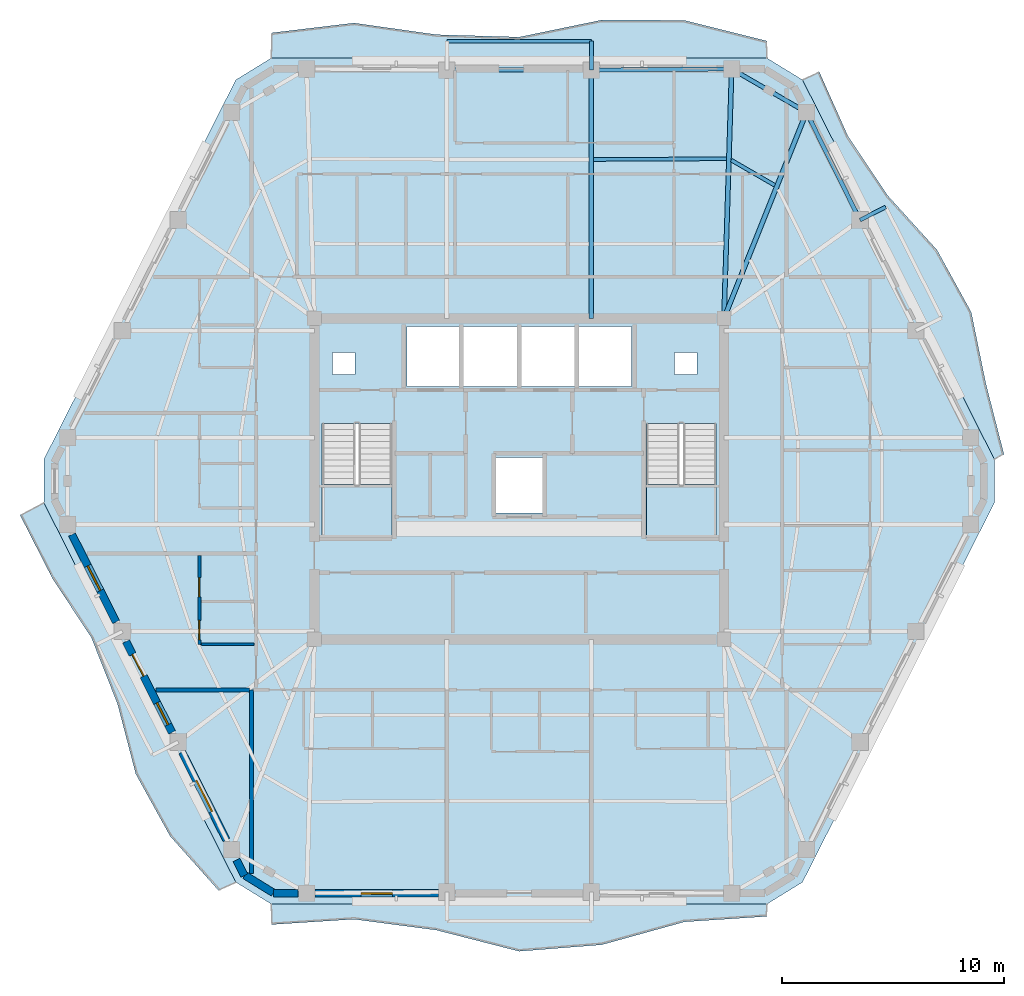
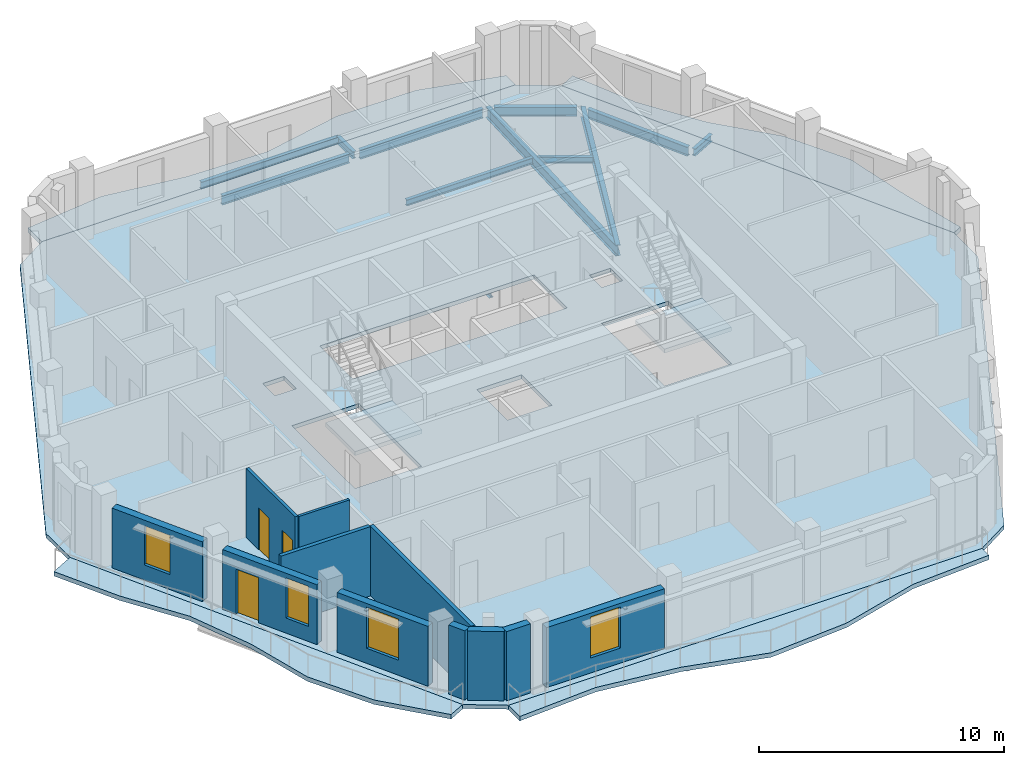
# One storey, part 3 of 11: 12 beams, 11 walls, 7 slabs, 4 windows, 3 doors, 7 openings, 2 elements without a shape of their own.
"""IFC4 building model written with IfcOpenShell, lengths in metres."""

from ifc_helpers import new_model, si_unit, direction, frame, frame_2d, origin, origin_2d, place, context, subcontext, project, spatial, polyline, rectangle, i_section, outline, extrude, material, layer, layer_set, material_profile, profile_set, type_object, element, fill, aggregate, save


model = new_model("IFC4")

# Units and contexts
model_context = context("Model", 3, precision=1e-05, world=origin(), true_north=direction((0.0, 1.0)))
body_context = subcontext(model_context, "Body", "Model", "MODEL_VIEW")
ifc_project = project(units=[si_unit("LENGTHUNIT", "METRE"), si_unit("AREAUNIT", "SQUARE_METRE"), si_unit("VOLUMEUNIT", "CUBIC_METRE"), si_unit("PLANEANGLEUNIT", "RADIAN"), si_unit("MASSUNIT", "GRAM", prefix="KILO")], contexts=[model_context])

# Site, building, storey
site_placement = place(None, origin())
site = spatial("IfcSite", under=ifc_project, at=site_placement, CompositionType="ELEMENT")
building_placement = place(site_placement, origin())
building = spatial("IfcBuilding", under=site, at=building_placement, Name="Cinnabar Lancet Tower", CompositionType="ELEMENT")
storey_placement = place(building_placement, frame((0.0, 0.0, 241.60009765625)))
storey = spatial("IfcBuildingStorey", under=building, at=storey_placement, Name="L64", CompositionType="ELEMENT", Elevation=241.60009765625)

# Beams
ifc_material_1 = material(Name="Structural steel S355", Category="steel")
ifc_material_profile_1 = material_profile(ifc_material_1, i_section(OverallWidth=0.1650390625, OverallDepth=0.303466796875, WebThickness=0.006103515625, FlangeThickness=0.01025390625, FilletRadius=0.0087890625, at=origin_2d()), Name="UKB 305x165x40")
ifc_profile_set_1 = profile_set([ifc_material_profile_1], Name="Structural steel S355")
beam_type_1 = type_object("IfcBeamType", Name="STR-BM-JST-305", PredefinedType="JOIST", material=ifc_profile_set_1)
beam_1_placement = place(storey_placement, frame((43.912109375, 39.1201171875, -0.35205078125), z_axis=(-0.865426285481, 0.501036270542, 0.0), x_axis=(-0.501036270542, -0.865426285481, 0.0)))
element("IfcBeam", 1, at=beam_1_placement, inside=storey, type_object=beam_type_1, Name="L64 Secondary Floor Joist 29", PredefinedType="JOIST", context=body_context, shape_type="SweptSolid", body=[
    extrude(i_section(OverallWidth=0.1650390625, OverallDepth=0.303466796875, WebThickness=0.006103515625, FlangeThickness=0.01025390625, FilletRadius=0.0087890625, at=origin_2d()), origin(), (0.0, 0.0, 1.0), 2.267333984375),
])
beam_2_placement = place(storey_placement, frame((41.741943359375, 40.31494140625, -0.35205078125), z_axis=(-0.999985712428, -0.005345553266, 0.0), x_axis=(0.005345553266, -0.999985712428, 0.0)))
element("IfcBeam", 2, at=beam_2_placement, inside=storey, type_object=beam_type_1, Name="L64 Secondary Floor Joist 30", PredefinedType="JOIST", context=body_context, shape_type="SweptSolid", body=[
    extrude(i_section(OverallWidth=0.1650390625, OverallDepth=0.303466796875, WebThickness=0.006103515625, FlangeThickness=0.01025390625, FilletRadius=0.0087890625, at=origin_2d()), origin(), (0.0, 0.0, 1.0), 5.98291015625),
])
ifc_material_2 = material(Name="Structural steel S355", Category="steel")
ifc_material_profile_2 = material_profile(ifc_material_2, i_section(OverallWidth=0.1904296875, OverallDepth=0.45703125, WebThickness=0.009033203125, FlangeThickness=0.014404296875, FilletRadius=0.01025390625, at=origin_2d()), Name="UKB 457x191x74")
ifc_profile_set_2 = profile_set([ifc_material_profile_2], Name="Structural steel S355")
beam_type_2 = type_object("IfcBeamType", Name="STR-BM-SPN-457", PredefinedType="SPANDREL", material=ifc_profile_set_2)
beam_3_placement = place(storey_placement, frame((47.637939453125, 37.778076171875, -0.427978515625), z_axis=(-0.444372599207, 0.895842058107, 0.0), x_axis=(-0.895842058107, -0.444372599207, 0.0)))
element("IfcBeam", 3, at=beam_3_placement, inside=storey, type_object=beam_type_2, Name="L64 Perimeter Spandrel 11", PredefinedType="SPANDREL", context=body_context, shape_type="SweptSolid", body=[
    extrude(i_section(OverallWidth=0.1904296875, OverallDepth=0.45703125, WebThickness=0.009033203125, FlangeThickness=0.014404296875, FilletRadius=0.01025390625, at=origin_2d()), origin(), (0.0, 0.0, 1.0), 4.91943359375),
])
beam_4_placement = place(storey_placement, frame((45.125, 42.533935546875, -0.427978515625), z_axis=(-0.865199693264, 0.501427453153, 0.0), x_axis=(-0.501427453153, -0.865199693264, 0.0)))
element("IfcBeam", 4, at=beam_4_placement, inside=storey, type_object=beam_type_2, Name="L64 Perimeter Spandrel 12", PredefinedType="SPANDREL", context=body_context, shape_type="SweptSolid", body=[
    extrude(i_section(OverallWidth=0.1904296875, OverallDepth=0.45703125, WebThickness=0.009033203125, FlangeThickness=0.014404296875, FilletRadius=0.01025390625, at=origin_2d()), origin(), (0.0, 0.0, 1.0), 3.39453125),
])
beam_5_placement = place(storey_placement, frame((41.721923828125, 44.35888671875, -0.427978515625), z_axis=(-0.999964782464, -0.008392486634, 0.0), x_axis=(0.008392486634, -0.999964782464, 0.0)))
element("IfcBeam", 5, at=beam_5_placement, inside=storey, type_object=beam_type_2, Name="L64 Perimeter Spandrel 13", PredefinedType="SPANDREL", context=body_context, shape_type="SweptSolid", body=[
    extrude(i_section(OverallWidth=0.1904296875, OverallDepth=0.45703125, WebThickness=0.009033203125, FlangeThickness=0.014404296875, FilletRadius=0.01025390625, at=origin_2d()), origin(), (0.0, 0.0, 1.0), 5.818115234375),
])
beam_6_placement = place(storey_placement, frame((35.404052734375, 44.30810546875, -0.427978515625), z_axis=(-1.0, 0.0, 0.0), x_axis=(0.0, -1.0, 0.0)))
element("IfcBeam", 6, at=beam_6_placement, inside=storey, type_object=beam_type_2, Name="L64 Perimeter Spandrel 14", PredefinedType="SPANDREL", context=body_context, shape_type="SweptSolid", body=[
    extrude(i_section(OverallWidth=0.1904296875, OverallDepth=0.45703125, WebThickness=0.009033203125, FlangeThickness=0.014404296875, FilletRadius=0.01025390625, at=origin_2d()), origin(), (0.0, 0.0, 1.0), 6.008056640625),
])
ifc_material_3 = material(Name="Structural steel S355", Category="steel")
ifc_material_profile_3 = material_profile(ifc_material_3, i_section(OverallWidth=0.209228515625, OverallDepth=0.533203125, WebThickness=0.010009765625, FlangeThickness=0.015625, FilletRadius=0.0126953125, at=origin_2d()), Name="UKB 533x210x92")
ifc_profile_set_3 = profile_set([ifc_material_profile_3], Name="Structural steel S355")
beam_type_3 = type_object("IfcBeamType", Name="STR-BM-UKB533-92", PredefinedType="BEAM", material=ifc_profile_set_3)
beam_7_placement = place(storey_placement, frame((45.341064453125, 42.408935546875, -0.467041015625), z_axis=(-0.371605341166, -0.928390796172, 0.0), x_axis=(0.928390796172, -0.371605341166, 0.0)))
element("IfcBeam", 7, at=beam_7_placement, inside=storey, type_object=beam_type_3, Name="L64 Primary Floor Girder 12", PredefinedType="BEAM", context=body_context, shape_type="SweptSolid", body=[
    extrude(i_section(OverallWidth=0.209228515625, OverallDepth=0.533203125, WebThickness=0.010009765625, FlangeThickness=0.015625, FilletRadius=0.0126953125, at=origin_2d()), origin(), (0.0, 0.0, 1.0), 10.0),
])
beam_8_placement = place(storey_placement, frame((41.971923828125, 44.361083984375, -0.467041015625), z_axis=(-0.030861159652, -0.999523680973, 0.0), x_axis=(0.999523680973, -0.030861159652, 0.0)))
element("IfcBeam", 8, at=beam_8_placement, inside=storey, type_object=beam_type_3, Name="L64 Primary Floor Girder 13", PredefinedType="BEAM", context=body_context, shape_type="SweptSolid", body=[
    extrude(i_section(OverallWidth=0.209228515625, OverallDepth=0.533203125, WebThickness=0.010009765625, FlangeThickness=0.015625, FilletRadius=0.0126953125, at=origin_2d()), origin(), (0.0, 0.0, 1.0), 11.241455078125),
])
beam_9_placement = place(storey_placement, frame((35.654052734375, 44.30810546875, -0.467041015625), z_axis=(0.0, -1.0, 0.0), x_axis=(1.0, 0.0, 0.0)))
element("IfcBeam", 9, at=beam_9_placement, inside=storey, type_object=beam_type_3, Name="L64 Primary Floor Girder 14", PredefinedType="BEAM", context=body_context, shape_type="SweptSolid", body=[
    extrude(i_section(OverallWidth=0.209228515625, OverallDepth=0.533203125, WebThickness=0.010009765625, FlangeThickness=0.015625, FilletRadius=0.0126953125, at=origin_2d()), origin(), (0.0, 0.0, 1.0), 11.18310546875),
])
ifc_material_4 = material(Name="Structural steel S355", Category="steel")
ifc_material_profile_4 = material_profile(ifc_material_4, i_section(OverallWidth=0.17138671875, OverallDepth=0.35498046875, WebThickness=0.00732421875, FlangeThickness=0.011474609375, FilletRadius=0.01025390625, at=origin_2d()), Name="UKB 356x171x51")
ifc_profile_set_4 = profile_set([ifc_material_profile_4], Name="Structural steel S355")
beam_type_4 = type_object("IfcBeamType", Name="STR-BM-WAV-OUT", PredefinedType="BEAM", material=ifc_profile_set_4)
beam_10_placement = place(storey_placement, frame((47.7490234375, 37.553955078125, -0.398193359375), z_axis=(0.892200264127, 0.451639998995, 0.0), x_axis=(-0.451639998995, 0.892200264127, 0.0)))
element("IfcBeam", 10, at=beam_10_placement, inside=storey, type_object=beam_type_4, Name="L64 Face 3 Balcony Outlooker B", PredefinedType="BEAM", context=body_context, shape_type="SweptSolid", body=[
    extrude(i_section(OverallWidth=0.17138671875, OverallDepth=0.35498046875, WebThickness=0.00732421875, FlangeThickness=0.011474609375, FilletRadius=0.01025390625, at=origin_2d()), origin(), (0.0, 0.0, 1.0), 1.300048828125),
])
beam_11_placement = place(storey_placement, frame((35.654052734375, 44.30810546875, -0.398193359375), z_axis=(0.0, 1.0, 0.0), x_axis=(-1.0, 0.0, 0.0)))
element("IfcBeam", 11, at=beam_11_placement, inside=storey, type_object=beam_type_4, Name="L64 Face 4 Balcony Outlooker A", PredefinedType="BEAM", context=body_context, shape_type="SweptSolid", body=[
    extrude(i_section(OverallWidth=0.17138671875, OverallDepth=0.35498046875, WebThickness=0.00732421875, FlangeThickness=0.011474609375, FilletRadius=0.01025390625, at=origin_2d()), origin(), (0.0, 0.0, 1.0), 1.2998046875),
])
ifc_material_5 = material(Name="Structural steel S355", Category="steel")
ifc_material_profile_5 = material_profile(ifc_material_5, i_section(OverallWidth=0.17138671875, OverallDepth=0.35498046875, WebThickness=0.00732421875, FlangeThickness=0.011474609375, FilletRadius=0.01025390625, at=origin_2d()), Name="UKB 356x171x51")
ifc_profile_set_5 = profile_set([ifc_material_profile_5], Name="Structural steel S355")
beam_type_5 = type_object("IfcBeamType", Name="STR-BM-WAV-TRIM", PredefinedType="SPANDREL", material=ifc_profile_set_5)
beam_12_placement = place(storey_placement, frame((35.654052734375, 45.60791015625, -0.398193359375), z_axis=(-1.0, 0.0, 0.0), x_axis=(0.0, -1.0, 0.0)))
element("IfcBeam", 12, at=beam_12_placement, inside=storey, type_object=beam_type_5, Name="L64 Face 4 Balcony Edge Trimmer", PredefinedType="SPANDREL", context=body_context, shape_type="SweptSolid", body=[
    extrude(i_section(OverallWidth=0.17138671875, OverallDepth=0.35498046875, WebThickness=0.00732421875, FlangeThickness=0.011474609375, FilletRadius=0.01025390625, at=origin_2d()), origin(), (0.0, 0.0, 1.0), 6.508056640625),
])

# Stair, slab
ifc_material_6 = material(Name="Concrete C40/50", Category="concrete")
stair_type = type_object("IfcStairType", Name="ST-CORE", PredefinedType="HALF_TURN_STAIR", material=ifc_material_6)
stair_1_placement = place(storey_placement, origin())
stair_1 = element("IfcStair", 13, at=stair_1_placement, inside=storey, type_object=stair_type, Name="L64 ST-1", PredefinedType="HALF_TURN_STAIR")
ifc_material_7 = material(Name="Concrete C40/50", Category="concrete")
ifc_layer_1 = layer(ifc_material_7, 0.199951171875)
ifc_layer_set_1 = layer_set([ifc_layer_1], Name="Concrete C40/50")
slab_type_1 = type_object("IfcSlabType", Name="LANDING-CORE", PredefinedType="LANDING", material=ifc_layer_set_1)
slab_1_placement = place(storey_placement, frame((0.0, 0.0, 1.625)))
slab_1 = element("IfcSlab", 14, at=slab_1_placement, type_object=slab_type_1, Name="ST-1 landing 1", PredefinedType="LANDING", context=body_context, shape_type="SweptSolid", body=[
    extrude(outline(polyline([(23.52490234375, 25.64990234375), (23.52490234375, 23.25), (26.675048828125, 23.25), (26.675048828125, 25.64990234375), (23.52490234375, 25.64990234375)])), origin(), (0.0, 0.0, 1.0), 0.199951171875),
])
aggregate(stair_1, [slab_1])

stair_2_placement = place(storey_placement, origin())
stair_2 = element("IfcStair", 15, at=stair_2_placement, inside=storey, type_object=stair_type, Name="L64 ST-2", PredefinedType="HALF_TURN_STAIR")
slab_2_placement = place(storey_placement, frame((0.0, 0.0, 1.625)))
slab_2 = element("IfcSlab", 16, at=slab_2_placement, type_object=slab_type_1, Name="ST-2 landing 1", PredefinedType="LANDING", context=body_context, shape_type="SweptSolid", body=[
    extrude(outline(polyline([(38.125, 25.64990234375), (38.125, 23.25), (41.27490234375, 23.25), (41.27490234375, 25.64990234375), (38.125, 25.64990234375)])), origin(), (0.0, 0.0, 1.0), 0.199951171875),
])
aggregate(stair_2, [slab_2])

# Slabs
ifc_material_8 = material(Name="Concrete C40/50", Category="concrete")
ifc_layer_2 = layer(ifc_material_8, 0.199951171875)
ifc_layer_set_2 = layer_set([ifc_layer_2], Name="Concrete C40/50")
slab_type_2 = type_object("IfcSlabType", Name="STR-SLB-FLR-200", PredefinedType="FLOOR", material=ifc_layer_set_2)
slab_3_placement = place(storey_placement, frame((0.0, 0.0, -0.2001953125)))
element("IfcSlab", 17, at=slab_3_placement, inside=storey, type_object=slab_type_2, Name="L64 Structural Floor Slab", PredefinedType="FLOOR", context=body_context, shape_type="SweptSolid", body=[
    extrude(outline(polyline([(19.638916015625, 7.73193359375), (21.236083984375, 6.75), (43.56396484375, 6.75), (45.160888671875, 7.73193359375), (53.802978515625, 24.818115234375), (53.802978515625, 26.781982421875), (45.160888671875, 43.867919921875), (43.56396484375, 44.85009765625), (21.236083984375, 44.85009765625), (19.638916015625, 43.867919921875), (10.9970703125, 26.781982421875), (10.9970703125, 24.818115234375), (19.638916015625, 7.73193359375)]), holes=[polyline([(23.52490234375, 23.25), (26.675048828125, 23.25), (26.675048828125, 28.3994140625), (23.52490234375, 28.3994140625), (23.52490234375, 23.25)]), polyline([(38.125, 23.25), (41.27490234375, 23.25), (41.27490234375, 28.3994140625), (38.125, 28.3994140625), (38.125, 23.25)]), polyline([(27.35009765625, 30.050048828125), (37.449951171875, 30.050048828125), (37.449951171875, 32.75), (27.35009765625, 32.75), (27.35009765625, 30.050048828125)]), polyline([(31.35009765625, 24.35009765625), (33.449951171875, 24.35009765625), (33.449951171875, 26.85009765625), (31.35009765625, 26.85009765625), (31.35009765625, 24.35009765625)]), polyline([(24.0, 30.60009765625), (25.0, 30.60009765625), (25.0, 31.60009765625), (24.0, 31.60009765625), (24.0, 30.60009765625)]), polyline([(39.39990234375, 30.60009765625), (40.39990234375, 30.60009765625), (40.39990234375, 31.60009765625), (39.39990234375, 31.60009765625), (39.39990234375, 30.60009765625)])]), origin(), (0.0, 0.0, 1.0), 0.2001953125),
])
ifc_material_9 = material(Name="Concrete C45/55", Category="concrete")
ifc_layer_3 = layer(ifc_material_9, 0.219970703125)
ifc_layer_set_3 = layer_set([ifc_layer_3], Name="Concrete C45/55")
slab_type_3 = type_object("IfcSlabType", Name="STR-SLB-WAV-220", PredefinedType="FLOOR", material=ifc_layer_set_3)
slab_4_placement = place(storey_placement, frame((0.0, 0.0, -0.22021484375)))
element("IfcSlab", 18, at=slab_4_placement, inside=storey, type_object=slab_type_3, Name="L64 Face 1 Undulating Wave Balcony Slab", PredefinedType="FLOOR", context=body_context, shape_type="SweptSolid", body=[
    extrude(outline(polyline([(21.236083984375, 6.75), (21.236083984375, 5.824951171875), (24.95703125, 6.06396484375), (28.678955078125, 5.572998046875), (32.39990234375, 4.6201171875), (36.12109375, 4.9140625), (39.843017578125, 5.946044921875), (43.56396484375, 6.19189453125), (43.56396484375, 6.75), (21.236083984375, 6.75)])), origin(), (0.0, 0.0, 1.0), 0.22021484375),
])
slab_5_placement = place(storey_placement, frame((0.0, 0.0, -0.22021484375)))
element("IfcSlab", 19, at=slab_5_placement, inside=storey, type_object=slab_type_3, Name="L64 Face 3 Undulating Wave Balcony Slab", PredefinedType="FLOOR", context=body_context, shape_type="SweptSolid", body=[
    extrude(outline(polyline([(53.802978515625, 26.781982421875), (54.237060546875, 27.0009765625), (53.425048828125, 30.1669921875), (52.760986328125, 33.406982421875), (51.220947265625, 36.205078125), (48.9990234375, 38.656982421875), (47.2099609375, 41.327880859375), (45.908935546875, 44.24609375), (45.160888671875, 43.867919921875), (53.802978515625, 26.781982421875)])), origin(), (0.0, 0.0, 1.0), 0.22021484375),
])
slab_6_placement = place(storey_placement, frame((0.0, 0.0, -0.22021484375)))
element("IfcSlab", 20, at=slab_6_placement, inside=storey, type_object=slab_type_3, Name="L64 Face 4 Undulating Wave Balcony Slab", PredefinedType="FLOOR", context=body_context, shape_type="SweptSolid", body=[
    extrude(outline(polyline([(43.56396484375, 44.85009765625), (43.56396484375, 45.617919921875), (39.843017578125, 46.549072265625), (36.12109375, 46.56494140625), (32.39990234375, 45.797119140625), (28.678955078125, 45.906005859375), (24.95703125, 46.430908203125), (21.236083984375, 45.985107421875), (21.236083984375, 44.85009765625), (43.56396484375, 44.85009765625)])), origin(), (0.0, 0.0, 1.0), 0.22021484375),
])
slab_7_placement = place(storey_placement, frame((0.0, 0.0, -0.22021484375)))
element("IfcSlab", 21, at=slab_7_placement, inside=storey, type_object=slab_type_3, Name="L64 Face 6 Undulating Wave Balcony Slab", PredefinedType="FLOOR", context=body_context, shape_type="SweptSolid", body=[
    extrude(outline(polyline([(10.9970703125, 24.818115234375), (9.919921875, 24.27294921875), (11.3720703125, 21.430908203125), (13.135009765625, 18.7470703125), (14.31103515625, 15.76611328125), (15.135009765625, 12.60595703125), (16.678955078125, 9.81103515625), (18.876953125, 7.345947265625), (19.638916015625, 7.73193359375), (10.9970703125, 24.818115234375)])), origin(), (0.0, 0.0, 1.0), 0.22021484375),
])

# Walls
ifc_material_10 = material(Name="Fire-rated twin-frame acoustic drywall", Category="gypsum")
ifc_layer_4 = layer(ifc_material_10, 0.179931640625)
ifc_layer_set_4 = layer_set([ifc_layer_4], Name="Fire-rated twin-frame acoustic drywall")
wall_type_1 = type_object("IfcWallType", Name="ARC-WL-PARTY-180", PredefinedType="PARTITIONING", material=ifc_layer_set_4)
wall_1_placement = place(storey_placement, frame((20.35009765625, 8.118896484375, 0.0), z_axis=(0.0, 0.0, 1.0), x_axis=(0.0, 1.0, 0.0)))
element("IfcWall", 22, at=wall_1_placement, inside=storey, type_object=wall_type_1, Name="PW-L64-SPTY-204", PredefinedType="PARTITIONING", context=body_context, shape_type="SweptSolid", body=[
    extrude(rectangle(XDim=8.281005859375, YDim=0.179931640625, at=frame_2d((4.140625, 0.0))), origin(), (0.0, 0.0, 1.0), 3.449951171875),
])
wall_2_placement = place(storey_placement, frame((16.033935546875, 16.39990234375, 0.0), z_axis=(0.0, 0.0, 1.0), x_axis=(1.0, 0.0, 0.0)))
element("IfcWall", 23, at=wall_2_placement, inside=storey, type_object=wall_type_1, Name="PW-L64-WSB", PredefinedType="PARTITIONING", context=body_context, shape_type="SweptSolid", body=[
    extrude(rectangle(XDim=4.220947265625, YDim=0.179931640625, at=frame_2d((2.1103515625, 0.0))), origin(), (0.0, 0.0, 1.0), 3.449951171875),
])
ifc_material_11 = material(Name="Gypsum plasterboard stud partition", Category="gypsum")
ifc_layer_5 = layer(ifc_material_11, 0.125)
ifc_layer_set_5 = layer_set([ifc_layer_5], Name="Gypsum plasterboard stud partition")
wall_type_2 = type_object("IfcWallType", Name="ARC-WL-UNIT-125", PredefinedType="PARTITIONING", material=ifc_layer_set_5)
wall_3_placement = place(storey_placement, frame((18.0849609375, 18.449951171875, 0.0), z_axis=(0.0, 0.0, 1.0), x_axis=(1.0, 0.0, 0.0)))
element("IfcWall", 24, at=wall_3_placement, inside=storey, type_object=wall_type_2, Name="UW-L64-W01-FOYN", PredefinedType="PARTITIONING", context=body_context, shape_type="SweptSolid", body=[
    extrude(rectangle(XDim=2.380126953125, YDim=0.125, at=frame_2d((1.18994140625, 0.0))), origin(), (0.0, 0.0, 1.0), 3.449951171875),
])

# Wall, openings, doors
ifc_material_12 = material(Name="Moisture-resistant cement-board plumbing wall", Category="masonry")
ifc_layer_6 = layer(ifc_material_12, 0.139892578125)
ifc_layer_set_6 = layer_set([ifc_layer_6], Name="Moisture-resistant cement-board plumbing wall")
wall_type_3 = type_object("IfcWallType", Name="ARC-WL-WET-140", PredefinedType="PLUMBINGWALL", material=ifc_layer_set_6)
wall_4_placement = place(storey_placement, frame((18.0, 18.449951171875, 0.0), z_axis=(0.0, 0.0, 1.0), x_axis=(0.0, 1.0, 0.0)))
wall_4 = element("IfcWall", 25, at=wall_4_placement, inside=storey, type_object=wall_type_3, Name="UW-L64-W01-SPL", PredefinedType="PLUMBINGWALL", context=body_context, shape_type="SweptSolid", body=[
    extrude(rectangle(XDim=3.9931640625, YDim=0.139892578125, at=frame_2d((1.99658203125, 0.0))), origin(), (0.0, 0.0, 1.0), 3.449951171875),
])
opening_1_placement = place(wall_4_placement, frame((2.136962890625, 0.0, 0.0)))
opening_1 = element("IfcOpeningElement", 26, at=opening_1_placement, cuts=wall_4, Name="Opening BD-01", PredefinedType="OPENING", context=body_context, shape_type="SweptSolid", body=[
    extrude(rectangle(XDim=0.860107421875, YDim=2.10009765625, at=frame_2d((0.43017578125, 1.050048828125))), frame((0.0, 0.079833984375, 0.0), z_axis=(0.0, -1.0, 0.0), x_axis=(1.0, 0.0, 0.0)), (0.0, 0.0, 1.0), 0.159912109375),
])
opening_2_placement = place(wall_4_placement, frame((0.199951171875, 0.0, 0.0)))
opening_2 = element("IfcOpeningElement", 27, at=opening_2_placement, cuts=wall_4, Name="Opening RD-02", PredefinedType="OPENING", context=body_context, shape_type="SweptSolid", body=[
    extrude(rectangle(XDim=0.8798828125, YDim=2.14990234375, at=frame_2d((0.43994140625, 1.074951171875))), frame((0.0, 0.079833984375, 0.0), z_axis=(0.0, -1.0, 0.0), x_axis=(1.0, 0.0, 0.0)), (0.0, 0.0, 1.0), 0.159912109375),
])
ifc_material_13 = material(Name="Moisture-resistant timber bathroom door", Category="wood")
door_type_1 = type_object("IfcDoorType", Name="ARC-DR-BATH", OperationType="NOTDEFINED", PredefinedType="DOOR", material=ifc_material_13)
door_1_placement = place(opening_1_placement, origin())
door_1 = element("IfcDoor", 28, at=door_1_placement, inside=storey, type_object=door_type_1, Name="DR-L64-W01-BTH", OperationType="SINGLE_SWING_RIGHT", OverallHeight=2.10009765625, OverallWidth=0.860107421875, PredefinedType="DOOR", context=body_context, shape_type="SweptSolid", body=[
    extrude(rectangle(XDim=0.860107421875, YDim=2.10009765625, at=frame_2d((0.43017578125, 1.050048828125))), frame((0.0, 0.02490234375, 0.0), z_axis=(0.0, -1.0, 0.0), x_axis=(1.0, 0.0, 0.0)), (0.0, 0.0, 1.0), 0.050048828125),
])
fill(opening_1, door_1)
ifc_material_14 = material(Name="Engineered timber study door", Category="wood")
door_type_2 = type_object("IfcDoorType", Name="ARC-DR-STUDY", OperationType="NOTDEFINED", PredefinedType="DOOR", material=ifc_material_14)
door_2_placement = place(opening_2_placement, origin())
door_2 = element("IfcDoor", 29, at=door_2_placement, inside=storey, type_object=door_type_2, Name="DR-L64-W01-KIT", OperationType="SINGLE_SWING_LEFT", OverallHeight=2.14990234375, OverallWidth=0.8798828125, PredefinedType="DOOR", context=body_context, shape_type="SweptSolid", body=[
    extrude(rectangle(XDim=0.8798828125, YDim=2.14990234375, at=frame_2d((0.43994140625, 1.074951171875))), frame((0.0, 0.02490234375, 0.0), z_axis=(0.0, -1.0, 0.0), x_axis=(1.0, 0.0, 0.0)), (0.0, 0.0, 1.0), 0.050048828125),
])
fill(opening_2, door_2)

# Walls
ifc_material_15 = material(Name="Cinnabar red clay brick", Category="masonry")
ifc_layer_7 = layer(ifc_material_15, 0.340087890625)
ifc_layer_set_7 = layer_set([ifc_layer_7], Name="Cinnabar red clay brick")
wall_type_4 = type_object("IfcWallType", Name="ENV-WL-BRK-RED-340", PredefinedType="STANDARD", material=ifc_layer_set_7)
wall_5_placement = place(storey_placement, frame((20.047119140625, 8.044921875, 0.0), z_axis=(0.0, 0.0, 1.0), x_axis=(0.851680557619, -0.52406128246, 0.0)))
element("IfcWall", 30, at=wall_5_placement, inside=storey, type_object=wall_type_4, Name="L64 Chamfered Corner Brick Pier 1.1", PredefinedType="STANDARD", context=body_context, shape_type="SweptSolid", body=[
    extrude(rectangle(XDim=1.507568359375, YDim=0.340087890625, at=frame_2d((0.75390625, 0.0))), origin(), (0.0, 0.0, 1.0), 3.449951171875),
])
wall_6_placement = place(storey_placement, frame((21.325927734375, 7.22998046875, 0.0), z_axis=(0.0, 0.0, 1.0), x_axis=(1.0, 0.0, 0.0)))
element("IfcWall", 31, at=wall_6_placement, inside=storey, type_object=wall_type_4, Name="L64 Face 1 Masonry Bay Wall 1", PredefinedType="STANDARD", context=body_context, shape_type="SweptSolid", body=[
    extrude(rectangle(XDim=1.123046875, YDim=0.340087890625, at=frame_2d((0.5615234375, 0.0))), origin(), (0.0, 0.0, 1.0), 3.449951171875),
])

# Wall, opening, window
wall_7_placement = place(storey_placement, frame((23.20703125, 7.22998046875, 0.0), z_axis=(0.0, 0.0, 1.0), x_axis=(1.0, 0.0, 0.0)))
wall_7 = element("IfcWall", 32, at=wall_7_placement, inside=storey, type_object=wall_type_4, Name="L64 Face 1 Masonry Bay Wall 2", PredefinedType="STANDARD", context=body_context, shape_type="SweptSolid", body=[
    extrude(rectangle(XDim=5.56005859375, YDim=0.340087890625, at=frame_2d((2.780029296875, 0.0))), origin(), (0.0, 0.0, 1.0), 2.98291015625),
])
opening_3_placement = place(wall_7_placement, frame((2.080078125, 0.0, 0.75)))
opening_3 = element("IfcOpeningElement", 33, at=opening_3_placement, cuts=wall_7, Name="Opening WN-02", PredefinedType="OPENING", context=body_context, shape_type="SweptSolid", body=[
    extrude(rectangle(XDim=1.39990234375, YDim=2.050048828125, at=frame_2d((0.699951171875, 1.02490234375))), frame((0.0, 0.179931640625, 0.0), z_axis=(0.0, -1.0, 0.0), x_axis=(1.0, 0.0, 0.0)), (0.0, 0.0, 1.0), 0.360107421875),
])
ifc_material_16 = material(Name="Thermally broken bronze-anodized aluminium low-E double glazing", Category="aluminium")
window_type_1 = type_object("IfcWindowType", Name="ENV-WN-LANCET-1400", PartitioningType="SINGLE_PANEL", PredefinedType="WINDOW", material=ifc_material_16)
window_1_placement = place(opening_3_placement, origin())
window_1 = element("IfcWindow", 34, at=window_1_placement, inside=storey, type_object=window_type_1, Name="L64 Face 1 Gothic Lancet Window 2", OverallHeight=2.050048828125, OverallWidth=1.39990234375, PartitioningType="SINGLE_PANEL", PredefinedType="WINDOW", context=body_context, shape_type="SweptSolid", body=[
    extrude(rectangle(XDim=1.39990234375, YDim=2.050048828125, at=frame_2d((0.699951171875, 1.02490234375))), frame((0.0, 0.030029296875, 0.0), z_axis=(0.0, -1.0, 0.0), x_axis=(1.0, 0.0, 0.0)), (0.0, 0.0, 1.0), 0.06005859375),
])
fill(opening_3, window_1)

wall_8_placement = place(storey_placement, frame((12.257080078125, 23.388916015625, 0.0), z_axis=(0.0, 0.0, 1.0), x_axis=(0.45130817501, -0.892368158984, 0.0)))
wall_8 = element("IfcWall", 35, at=wall_8_placement, inside=storey, type_object=wall_type_4, Name="L64 Face 6 Masonry Bay Wall 2", PredefinedType="STANDARD", context=body_context, shape_type="SweptSolid", body=[
    extrude(rectangle(XDim=4.4072265625, YDim=0.340087890625, at=frame_2d((2.20361328125, 0.0))), origin(), (0.0, 0.0, 1.0), 2.98291015625),
])
opening_4_placement = place(wall_8_placement, frame((1.5791015625, 0.0, 0.75)))
opening_4 = element("IfcOpeningElement", 36, at=opening_4_placement, cuts=wall_8, Name="Opening WN-03", PredefinedType="OPENING", context=body_context, shape_type="SweptSolid", body=[
    extrude(rectangle(XDim=1.25, YDim=1.949951171875, at=frame_2d((0.625, 0.97509765625))), frame((0.0, 0.179931640625, 0.0), z_axis=(0.0, -1.0, 0.0), x_axis=(1.0, 0.0, 0.0)), (0.0, 0.0, 1.0), 0.360107421875),
])
ifc_material_17 = material(Name="Thermally broken bronze-anodized aluminium low-E double glazing", Category="aluminium")
window_type_2 = type_object("IfcWindowType", Name="ENV-WN-LANCET-1250", PartitioningType="SINGLE_PANEL", PredefinedType="WINDOW", material=ifc_material_17)
window_2_placement = place(opening_4_placement, origin())
window_2 = element("IfcWindow", 37, at=window_2_placement, inside=storey, type_object=window_type_2, Name="L64 Face 6 Gothic Lancet Window 2", OverallHeight=1.949951171875, OverallWidth=1.25, PartitioningType="SINGLE_PANEL", PredefinedType="WINDOW", context=body_context, shape_type="SweptSolid", body=[
    extrude(rectangle(XDim=1.25, YDim=1.949951171875, at=frame_2d((0.625, 0.97509765625))), frame((0.0, 0.030029296875, 0.0), z_axis=(0.0, -1.0, 0.0), x_axis=(1.0, 0.0, 0.0)), (0.0, 0.0, 1.0), 0.06005859375),
])
fill(opening_4, window_2)

# Wall, openings, door, window
wall_9_placement = place(storey_placement, frame((14.69091796875, 18.576904296875, 0.0), z_axis=(0.0, 0.0, 1.0), x_axis=(0.451581819983, -0.892229712496, 0.0)))
wall_9 = element("IfcWall", 38, at=wall_9_placement, inside=storey, type_object=wall_type_4, Name="L64 Face 6 Masonry Bay Wall 3", PredefinedType="STANDARD", context=body_context, shape_type="SweptSolid", body=[
    extrude(rectangle(XDim=4.599609375, YDim=0.340087890625, at=frame_2d((2.2998046875, 0.0))), origin(), (0.0, 0.0, 1.0), 2.98291015625),
])
opening_5_placement = place(wall_9_placement, frame((0.654052734375, 0.0, 0.0)))
opening_5 = element("IfcOpeningElement", 39, at=opening_5_placement, cuts=wall_9, Name="Opening TD-01", PredefinedType="OPENING", context=body_context, shape_type="SweptSolid", body=[
    extrude(rectangle(XDim=1.10009765625, YDim=2.25, at=frame_2d((0.550048828125, 1.125))), frame((0.0, 0.179931640625, 0.0), z_axis=(0.0, -1.0, 0.0), x_axis=(1.0, 0.0, 0.0)), (0.0, 0.0, 1.0), 0.360107421875),
])
opening_6_placement = place(wall_9_placement, frame((3.10009765625, 0.0, 0.75)))
opening_6 = element("IfcOpeningElement", 40, at=opening_6_placement, cuts=wall_9, Name="Opening WN-04", PredefinedType="OPENING", context=body_context, shape_type="SweptSolid", body=[
    extrude(rectangle(XDim=1.10009765625, YDim=2.0, at=frame_2d((0.550048828125, 1.0))), frame((0.0, 0.179931640625, 0.0), z_axis=(0.0, -1.0, 0.0), x_axis=(1.0, 0.0, 0.0)), (0.0, 0.0, 1.0), 0.360107421875),
])
ifc_material_18 = material(Name="Thermally broken low-E glazed balcony terrace door", Category="wood")
door_type_3 = type_object("IfcDoorType", Name="ARC-DR-BALC", OperationType="NOTDEFINED", PredefinedType="DOOR", material=ifc_material_18)
door_3_placement = place(opening_5_placement, origin())
door_3 = element("IfcDoor", 41, at=door_3_placement, inside=storey, type_object=door_type_3, Name="L64 Face 6 Glazed Terrace Door", OperationType="SINGLE_SWING_RIGHT", OverallHeight=2.25, OverallWidth=1.10009765625, PredefinedType="DOOR", context=body_context, shape_type="SweptSolid", body=[
    extrude(rectangle(XDim=1.10009765625, YDim=2.25, at=frame_2d((0.550048828125, 1.125))), frame((0.0, 0.02490234375, 0.0), z_axis=(0.0, -1.0, 0.0), x_axis=(1.0, 0.0, 0.0)), (0.0, 0.0, 1.0), 0.050048828125),
])
fill(opening_5, door_3)
ifc_material_19 = material(Name="Thermally broken bronze-anodized aluminium tall lancet window", Category="aluminium")
window_type_3 = type_object("IfcWindowType", Name="ENV-WN-LANCET-1100", PartitioningType="SINGLE_PANEL", PredefinedType="WINDOW", material=ifc_material_19)
window_3_placement = place(opening_6_placement, origin())
window_3 = element("IfcWindow", 42, at=window_3_placement, inside=storey, type_object=window_type_3, Name="L64 Split-Bay Gothic Lancet Window 227", OverallHeight=2.0, OverallWidth=1.10009765625, PartitioningType="SINGLE_PANEL", PredefinedType="WINDOW", context=body_context, shape_type="SweptSolid", body=[
    extrude(rectangle(XDim=1.10009765625, YDim=2.0, at=frame_2d((0.550048828125, 1.0))), frame((0.0, 0.030029296875, 0.0), z_axis=(0.0, -1.0, 0.0), x_axis=(1.0, 0.0, 0.0)), (0.0, 0.0, 1.0), 0.06005859375),
])
fill(opening_6, window_3)

# Wall, opening, window
wall_10_placement = place(storey_placement, frame((17.214111328125, 13.590087890625, 0.0), z_axis=(0.0, 0.0, 1.0), x_axis=(0.451440846853, -0.892301048858, 0.0)))
wall_10 = element("IfcWall", 43, at=wall_10_placement, inside=storey, type_object=wall_type_4, Name="L64 Face 6 Masonry Bay Wall 4", PredefinedType="STANDARD", context=body_context, shape_type="SweptSolid", body=[
    extrude(rectangle(XDim=4.43017578125, YDim=0.340087890625, at=frame_2d((2.215087890625, 0.0))), origin(), (0.0, 0.0, 1.0), 2.98291015625),
])
opening_7_placement = place(wall_10_placement, frame((1.43994140625, 0.0, 0.75)))
opening_7 = element("IfcOpeningElement", 44, at=opening_7_placement, cuts=wall_10, Name="Opening WN-01", PredefinedType="OPENING", context=body_context, shape_type="SweptSolid", body=[
    extrude(rectangle(XDim=1.550048828125, YDim=2.050048828125, at=frame_2d((0.77490234375, 1.02490234375))), frame((0.0, 0.179931640625, 0.0), z_axis=(0.0, -1.0, 0.0), x_axis=(1.0, 0.0, 0.0)), (0.0, 0.0, 1.0), 0.360107421875),
])
ifc_material_20 = material(Name="Thermally broken bronze-anodized aluminium low-E double glazing", Category="aluminium")
window_type_4 = type_object("IfcWindowType", Name="ENV-WN-LANCET-1550", PartitioningType="SINGLE_PANEL", PredefinedType="WINDOW", material=ifc_material_20)
window_4_placement = place(opening_7_placement, origin())
window_4 = element("IfcWindow", 45, at=window_4_placement, inside=storey, type_object=window_type_4, Name="L64 Face 6 Gothic Lancet Window 4", OverallHeight=2.050048828125, OverallWidth=1.550048828125, PartitioningType="SINGLE_PANEL", PredefinedType="WINDOW", context=body_context, shape_type="SweptSolid", body=[
    extrude(rectangle(XDim=1.550048828125, YDim=2.050048828125, at=frame_2d((0.77490234375, 1.02490234375))), frame((0.0, 0.030029296875, 0.0), z_axis=(0.0, -1.0, 0.0), x_axis=(1.0, 0.0, 0.0)), (0.0, 0.0, 1.0), 0.06005859375),
])
fill(opening_7, window_4)

# Wall
wall_11_placement = place(storey_placement, frame((19.669921875, 8.735107421875, 0.0), z_axis=(0.0, 0.0, 1.0), x_axis=(0.451404919072, -0.89231922485, 0.0)))
element("IfcWall", 46, at=wall_11_placement, inside=storey, type_object=wall_type_4, Name="L64 Face 6 Masonry Bay Wall 5", PredefinedType="STANDARD", context=body_context, shape_type="SweptSolid", body=[
    extrude(rectangle(XDim=0.791259765625, YDim=0.340087890625, at=frame_2d((0.3955078125, 0.0))), origin(), (0.0, 0.0, 1.0), 3.449951171875),
])

save(model, "model.ifc")
